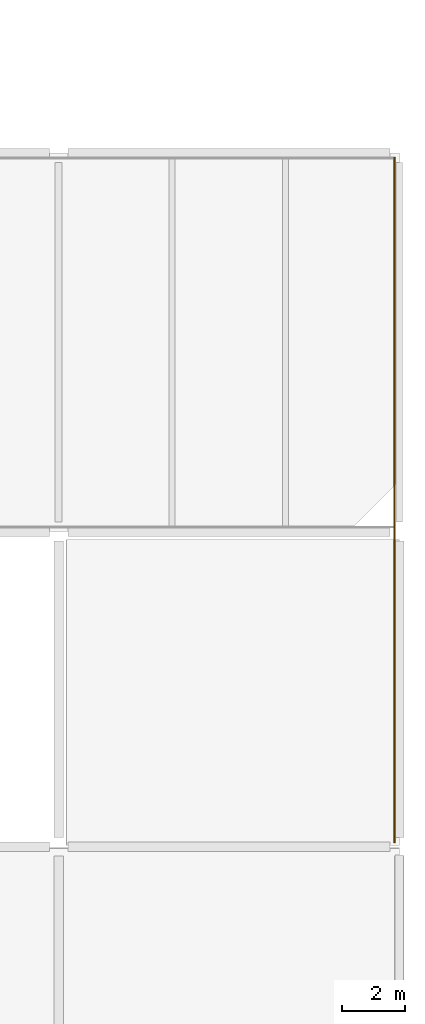
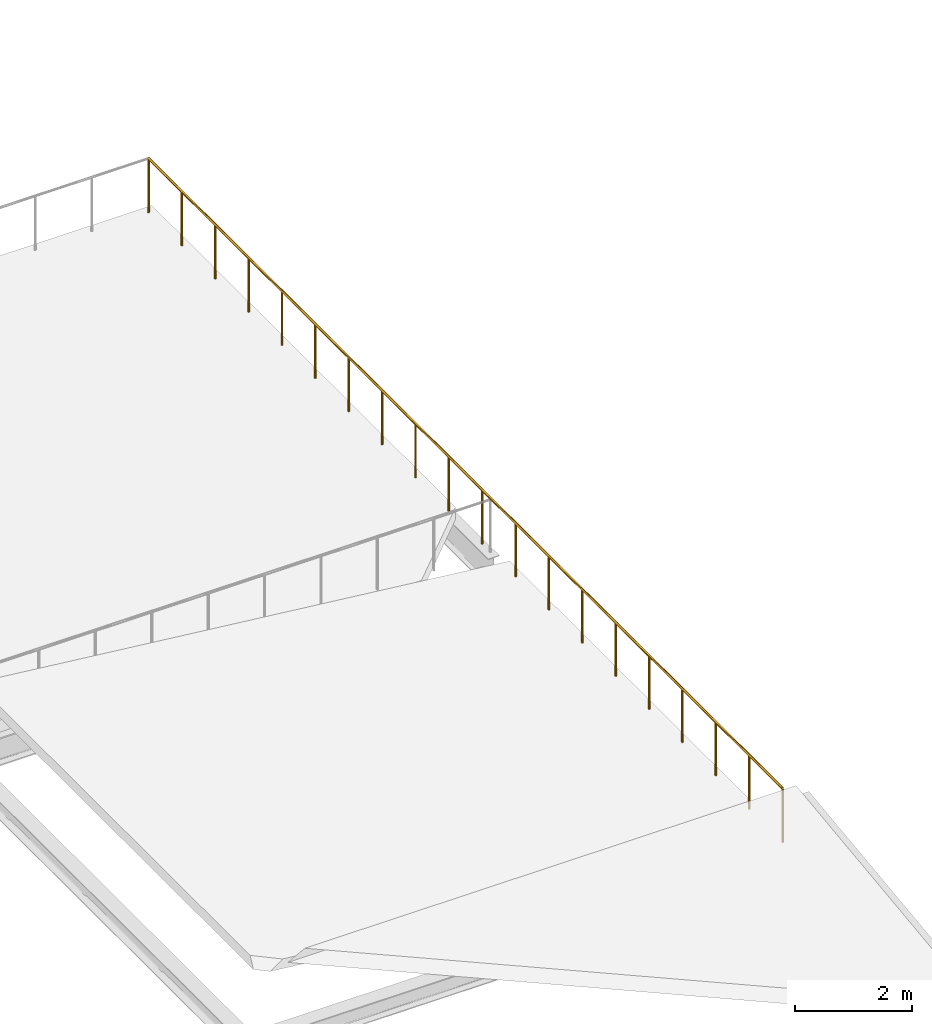
# One storey, part 86 of 86: 1 railing.
"""IFC4 building model written with IfcOpenShell, lengths in metres."""

from ifc_helpers import new_model, si_unit, direction, frame, origin, origin_2d, place, context, subcontext, project, spatial, circle, extrude, material, type_object, element, save


model = new_model("IFC4")

# Units and contexts
model_context = context("Model", 3, precision=1e-05, world=origin(), true_north=direction((0.0, 1.0)))
body_context = subcontext(model_context, "Body", "Model", "MODEL_VIEW")
ifc_project = project(units=[si_unit("LENGTHUNIT", "METRE"), si_unit("AREAUNIT", "SQUARE_METRE"), si_unit("VOLUMEUNIT", "CUBIC_METRE"), si_unit("PLANEANGLEUNIT", "RADIAN"), si_unit("MASSUNIT", "GRAM", prefix="KILO")], contexts=[model_context])

# Site, building, storey
site_placement = place(None, origin())
site = spatial("IfcSite", under=ifc_project, at=site_placement, CompositionType="ELEMENT")
building_placement = place(site_placement, origin())
building = spatial("IfcBuilding", under=site, at=building_placement, Name="Tasgan Crest Museum", CompositionType="ELEMENT")
storey_placement = place(building_placement, frame((0.0, 0.0, 24.0)))
storey = spatial("IfcBuildingStorey", under=building, at=storey_placement, Name="L04", CompositionType="ELEMENT", Elevation=24.0)

# Railing
ifc_material = material(Name="Bronze and Honed Granite Balustrade", Category="masonry")
railing_type = type_object("IfcRailingType", Name="RL-BALUSTRADE-1150", PredefinedType="BALUSTRADE", material=ifc_material)
railing_placement = place(storey_placement, frame((129.449951171875, 40.14990234375, 0.0)))
element("IfcRailing", 1, at=railing_placement, inside=storey, type_object=railing_type, Name="Terrace guardrail L04 TR-EAST-E", PredefinedType="BALUSTRADE", context=body_context, shape_type="SweptSolid", body=[
    extrude(circle(Radius=0.02392578125, at=origin_2d()), frame((0.0, 0.0, 1.1259765625), z_axis=(0.0, 1.0, 0.0), x_axis=(-1.0, 0.0, 0.0)), (0.0, 0.0, 1.0), 21.7001953125),
    extrude(circle(Radius=0.02099609375, at=origin_2d()), origin(), (0.0, 0.0, 1.0), 1.101806640625),
    extrude(circle(Radius=0.02099609375, at=origin_2d()), frame((0.0, 1.14208984375, 0.0)), (0.0, 0.0, 1.0), 1.101806640625),
    extrude(circle(Radius=0.02099609375, at=origin_2d()), frame((0.0, 2.2841796875, 0.0)), (0.0, 0.0, 1.0), 1.101806640625),
    extrude(circle(Radius=0.02099609375, at=origin_2d()), frame((0.0, 3.42626953125, 0.0)), (0.0, 0.0, 1.0), 1.101806640625),
    extrude(circle(Radius=0.02099609375, at=origin_2d()), frame((0.0, 4.568359375, 0.0)), (0.0, 0.0, 1.0), 1.101806640625),
    extrude(circle(Radius=0.02099609375, at=origin_2d()), frame((0.0, 5.710693359375, 0.0)), (0.0, 0.0, 1.0), 1.101806640625),
    extrude(circle(Radius=0.02099609375, at=origin_2d()), frame((0.0, 6.852783203125, 0.0)), (0.0, 0.0, 1.0), 1.101806640625),
    extrude(circle(Radius=0.02099609375, at=origin_2d()), frame((0.0, 7.994873046875, 0.0)), (0.0, 0.0, 1.0), 1.101806640625),
    extrude(circle(Radius=0.02099609375, at=origin_2d()), frame((0.0, 9.136962890625, 0.0)), (0.0, 0.0, 1.0), 1.101806640625),
    extrude(circle(Radius=0.02099609375, at=origin_2d()), frame((0.0, 10.279052734375, 0.0)), (0.0, 0.0, 1.0), 1.101806640625),
    extrude(circle(Radius=0.02099609375, at=origin_2d()), frame((0.0, 11.421142578125, 0.0)), (0.0, 0.0, 1.0), 1.101806640625),
    extrude(circle(Radius=0.02099609375, at=origin_2d()), frame((0.0, 12.563232421875, 0.0)), (0.0, 0.0, 1.0), 1.101806640625),
    extrude(circle(Radius=0.02099609375, at=origin_2d()), frame((0.0, 13.705322265625, 0.0)), (0.0, 0.0, 1.0), 1.101806640625),
    extrude(circle(Radius=0.02099609375, at=origin_2d()), frame((0.0, 14.847412109375, 0.0)), (0.0, 0.0, 1.0), 1.101806640625),
    extrude(circle(Radius=0.02099609375, at=origin_2d()), frame((0.0, 15.989501953125, 0.0)), (0.0, 0.0, 1.0), 1.101806640625),
    extrude(circle(Radius=0.02099609375, at=origin_2d()), frame((0.0, 17.1318359375, 0.0)), (0.0, 0.0, 1.0), 1.101806640625),
    extrude(circle(Radius=0.02099609375, at=origin_2d()), frame((0.0, 18.27392578125, 0.0)), (0.0, 0.0, 1.0), 1.101806640625),
    extrude(circle(Radius=0.02099609375, at=origin_2d()), frame((0.0, 19.416015625, 0.0)), (0.0, 0.0, 1.0), 1.101806640625),
    extrude(circle(Radius=0.02099609375, at=origin_2d()), frame((0.0, 20.55810546875, 0.0)), (0.0, 0.0, 1.0), 1.101806640625),
    extrude(circle(Radius=0.02099609375, at=origin_2d()), frame((0.0, 21.7001953125, 0.0)), (0.0, 0.0, 1.0), 1.101806640625),
])

save(model, "model.ifc")
